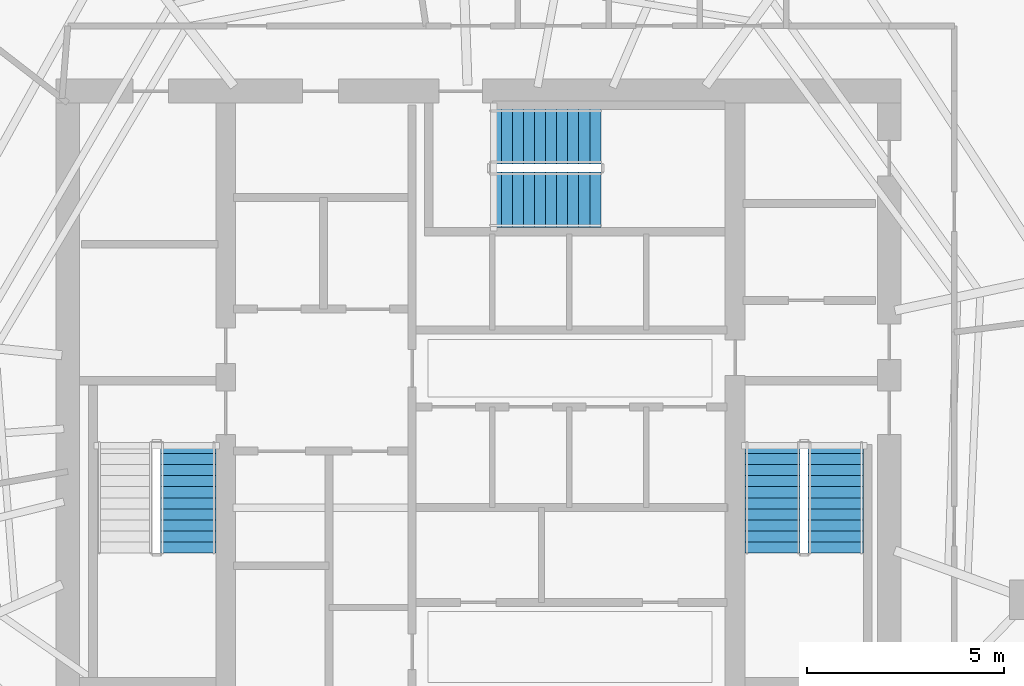
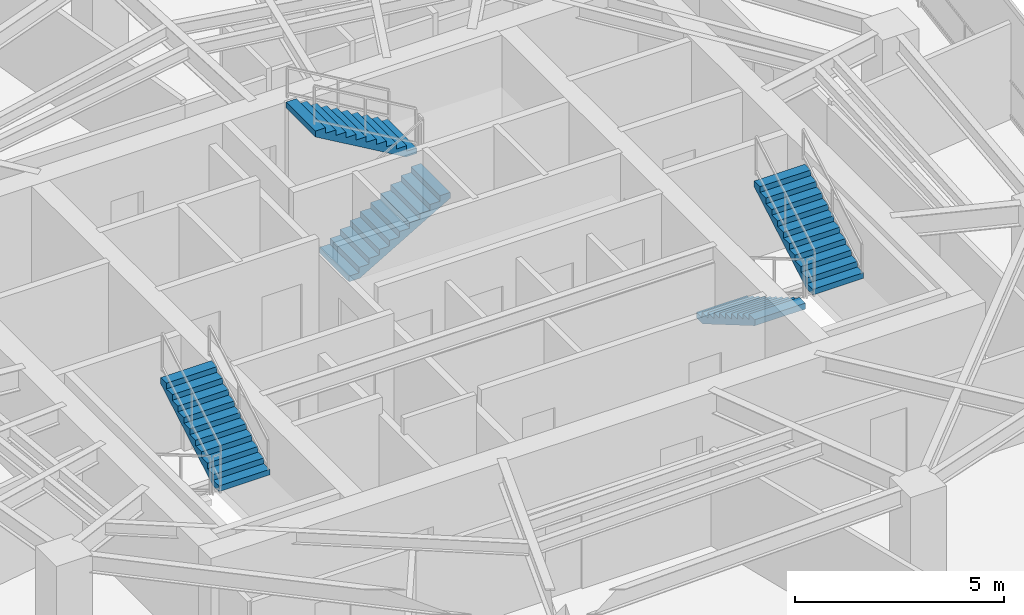
# One storey, part 19 of 21: 5 stair flights, 3 elements without a shape of their own.
"""IFC4 building model written with IfcOpenShell, lengths in metres."""

from ifc_helpers import new_model, si_unit, direction, frame, origin, place, context, subcontext, project, spatial, polyline, outline, extrude, material, type_object, element, aggregate, save


model = new_model("IFC4")

# Units and contexts
model_context = context("Model", 3, precision=1e-05, world=origin(), true_north=direction((0.0, 1.0)))
body_context = subcontext(model_context, "Body", "Model", "MODEL_VIEW")
ifc_project = project(units=[si_unit("LENGTHUNIT", "METRE"), si_unit("AREAUNIT", "SQUARE_METRE"), si_unit("VOLUMEUNIT", "CUBIC_METRE"), si_unit("PLANEANGLEUNIT", "RADIAN"), si_unit("MASSUNIT", "GRAM", prefix="KILO")], contexts=[model_context])

# Site, building, storey
site_placement = place(None, origin())
site = spatial("IfcSite", under=ifc_project, at=site_placement, CompositionType="ELEMENT")
building_placement = place(site_placement, origin())
building = spatial("IfcBuilding", under=site, at=building_placement, Name="Qarnah Convention Tower", CompositionType="ELEMENT")
storey_placement = place(building_placement, frame((0.0, 0.0, 158.10009765625)))
storey = spatial("IfcBuildingStorey", under=building, at=storey_placement, Name="L42", CompositionType="ELEMENT", Elevation=158.10009765625)

# Stair, stair flight
ifc_material = material(Name="Concrete C50/60", Category="concrete")
stair_type = type_object("IfcStairType", Name="STR-OFF", PredefinedType="HALF_TURN_STAIR", material=ifc_material)
stair_1_placement = place(storey_placement, origin())
stair_1 = element("IfcStair", 1, at=stair_1_placement, inside=storey, type_object=stair_type, Name="L42 Core exit stair ST-1", PredefinedType="HALF_TURN_STAIR")
stair_flight_type = type_object("IfcStairFlightType", Name="FLT-OFF", PredefinedType="STRAIGHT", material=ifc_material)
stair_flight_1_placement = place(storey_placement, frame((29.85009765625, 22.5, 1.7998046875), z_axis=(0.0, 0.0, 1.0), x_axis=(0.0, 1.0, 0.0)))
stair_flight_1 = element("IfcStairFlight", 2, at=stair_flight_1_placement, type_object=stair_flight_type, Name="ST-1 flight 2", NumberOfRisers=11, NumberOfTreads=10, PredefinedType="STRAIGHT", RiserHeight=0.163636364, TreadLength=0.28, context=body_context, shape_type="SweptSolid", body=[
    extrude(outline(polyline([(0.0, 0.0), (0.0, 0.16357421875), (0.280029296875, 0.16357421875), (0.280029296875, 0.327392578125), (0.56005859375, 0.327392578125), (0.56005859375, 0.490966796875), (0.840087890625, 0.490966796875), (0.840087890625, 0.654541015625), (1.1201171875, 0.654541015625), (1.1201171875, 0.818115234375), (1.39990234375, 0.818115234375), (1.39990234375, 0.98193359375), (1.679931640625, 0.98193359375), (1.679931640625, 1.1455078125), (1.9599609375, 1.1455078125), (1.9599609375, 1.30908203125), (2.239990234375, 1.30908203125), (2.239990234375, 1.47265625), (2.52001953125, 1.47265625), (2.52001953125, 1.636474609375), (2.800048828125, 1.636474609375), (2.800048828125, 1.800048828125), (2.800048828125, 1.462646484375), (0.297119140625, 0.0), (0.0, 0.0)])), frame((0.0, 0.699951171875, 0.0), z_axis=(0.0, -1.0, 0.0), x_axis=(1.0, 0.0, 0.0)), (0.0, 0.0, 1.0), 1.39990234375),
])
aggregate(stair_1, [stair_flight_1])

# Stair, stair flights
stair_2_placement = place(storey_placement, origin())
stair_2 = element("IfcStair", 3, at=stair_2_placement, inside=storey, type_object=stair_type, Name="L42 Core exit stair ST-2", PredefinedType="HALF_TURN_STAIR")
stair_flight_2_placement = place(storey_placement, frame((44.64990234375, 25.300048828125, 0.0), z_axis=(0.0, 0.0, 1.0), x_axis=(0.0, -1.0, 0.0)))
stair_flight_2 = element("IfcStairFlight", 4, at=stair_flight_2_placement, type_object=stair_flight_type, Name="ST-2 flight 1", NumberOfRisers=11, NumberOfTreads=10, PredefinedType="STRAIGHT", RiserHeight=0.163636364, TreadLength=0.28, context=body_context, shape_type="SweptSolid", body=[
    extrude(outline(polyline([(0.0, 0.0), (0.0, 0.16357421875), (0.280029296875, 0.16357421875), (0.280029296875, 0.327392578125), (0.56005859375, 0.327392578125), (0.56005859375, 0.490966796875), (0.840087890625, 0.490966796875), (0.840087890625, 0.654541015625), (1.1201171875, 0.654541015625), (1.1201171875, 0.818115234375), (1.39990234375, 0.818115234375), (1.39990234375, 0.98193359375), (1.679931640625, 0.98193359375), (1.679931640625, 1.1455078125), (1.9599609375, 1.1455078125), (1.9599609375, 1.30908203125), (2.239990234375, 1.30908203125), (2.239990234375, 1.47265625), (2.52001953125, 1.47265625), (2.52001953125, 1.636474609375), (2.800048828125, 1.636474609375), (2.800048828125, 1.800048828125), (2.800048828125, 1.462646484375), (0.297119140625, 0.0), (0.0, 0.0)])), frame((0.0, 0.699951171875, 0.0), z_axis=(0.0, -1.0, 0.0), x_axis=(1.0, 0.0, 0.0)), (0.0, 0.0, 1.0), 1.39990234375),
])
stair_flight_3_placement = place(storey_placement, frame((46.25, 22.5, 1.7998046875), z_axis=(0.0, 0.0, 1.0), x_axis=(0.0, 1.0, 0.0)))
stair_flight_3 = element("IfcStairFlight", 5, at=stair_flight_3_placement, type_object=stair_flight_type, Name="ST-2 flight 2", NumberOfRisers=11, NumberOfTreads=10, PredefinedType="STRAIGHT", RiserHeight=0.163636364, TreadLength=0.28, context=body_context, shape_type="SweptSolid", body=[
    extrude(outline(polyline([(0.0, 0.0), (0.0, 0.16357421875), (0.280029296875, 0.16357421875), (0.280029296875, 0.327392578125), (0.56005859375, 0.327392578125), (0.56005859375, 0.490966796875), (0.840087890625, 0.490966796875), (0.840087890625, 0.654541015625), (1.1201171875, 0.654541015625), (1.1201171875, 0.818115234375), (1.39990234375, 0.818115234375), (1.39990234375, 0.98193359375), (1.679931640625, 0.98193359375), (1.679931640625, 1.1455078125), (1.9599609375, 1.1455078125), (1.9599609375, 1.30908203125), (2.239990234375, 1.30908203125), (2.239990234375, 1.47265625), (2.52001953125, 1.47265625), (2.52001953125, 1.636474609375), (2.800048828125, 1.636474609375), (2.800048828125, 1.800048828125), (2.800048828125, 1.462646484375), (0.297119140625, 0.0), (0.0, 0.0)])), frame((0.0, 0.699951171875, 0.0), z_axis=(0.0, -1.0, 0.0), x_axis=(1.0, 0.0, 0.0)), (0.0, 0.0, 1.0), 1.39990234375),
])
aggregate(stair_2, [stair_flight_2, stair_flight_3])

stair_3_placement = place(storey_placement, origin())
stair_3 = element("IfcStair", 6, at=stair_3_placement, inside=storey, type_object=stair_type, Name="L42 Core exit stair ST-3", PredefinedType="HALF_TURN_STAIR")
stair_flight_4_placement = place(storey_placement, frame((37.5, 31.449951171875, 0.0), z_axis=(0.0, 0.0, 1.0), x_axis=(1.0, 0.0, 0.0)))
stair_flight_4 = element("IfcStairFlight", 7, at=stair_flight_4_placement, type_object=stair_flight_type, Name="ST-3 flight 1", NumberOfRisers=11, NumberOfTreads=10, PredefinedType="STRAIGHT", RiserHeight=0.163636364, TreadLength=0.28, context=body_context, shape_type="SweptSolid", body=[
    extrude(outline(polyline([(0.0, 0.0), (0.0, 0.16357421875), (0.280029296875, 0.16357421875), (0.280029296875, 0.327392578125), (0.56005859375, 0.327392578125), (0.56005859375, 0.490966796875), (0.840087890625, 0.490966796875), (0.840087890625, 0.654541015625), (1.1201171875, 0.654541015625), (1.1201171875, 0.818115234375), (1.39990234375, 0.818115234375), (1.39990234375, 0.98193359375), (1.679931640625, 0.98193359375), (1.679931640625, 1.1455078125), (1.9599609375, 1.1455078125), (1.9599609375, 1.30908203125), (2.239990234375, 1.30908203125), (2.239990234375, 1.47265625), (2.52001953125, 1.47265625), (2.52001953125, 1.636474609375), (2.800048828125, 1.636474609375), (2.800048828125, 1.800048828125), (2.800048828125, 1.462646484375), (0.297119140625, 0.0), (0.0, 0.0)])), frame((0.0, 0.699951171875, 0.0), z_axis=(0.0, -1.0, 0.0), x_axis=(1.0, 0.0, 0.0)), (0.0, 0.0, 1.0), 1.39990234375),
])
stair_flight_5_placement = place(storey_placement, frame((40.300048828125, 33.050048828125, 1.7998046875), z_axis=(0.0, 0.0, 1.0), x_axis=(-1.0, 0.0, 0.0)))
stair_flight_5 = element("IfcStairFlight", 8, at=stair_flight_5_placement, type_object=stair_flight_type, Name="ST-3 flight 2", NumberOfRisers=11, NumberOfTreads=10, PredefinedType="STRAIGHT", RiserHeight=0.163636364, TreadLength=0.28, context=body_context, shape_type="SweptSolid", body=[
    extrude(outline(polyline([(0.0, 0.0), (0.0, 0.16357421875), (0.280029296875, 0.16357421875), (0.280029296875, 0.327392578125), (0.56005859375, 0.327392578125), (0.56005859375, 0.490966796875), (0.840087890625, 0.490966796875), (0.840087890625, 0.654541015625), (1.1201171875, 0.654541015625), (1.1201171875, 0.818115234375), (1.39990234375, 0.818115234375), (1.39990234375, 0.98193359375), (1.679931640625, 0.98193359375), (1.679931640625, 1.1455078125), (1.9599609375, 1.1455078125), (1.9599609375, 1.30908203125), (2.239990234375, 1.30908203125), (2.239990234375, 1.47265625), (2.52001953125, 1.47265625), (2.52001953125, 1.636474609375), (2.800048828125, 1.636474609375), (2.800048828125, 1.800048828125), (2.800048828125, 1.462646484375), (0.297119140625, 0.0), (0.0, 0.0)])), frame((0.0, 0.699951171875, 0.0), z_axis=(0.0, -1.0, 0.0), x_axis=(1.0, 0.0, 0.0)), (0.0, 0.0, 1.0), 1.39990234375),
])
aggregate(stair_3, [stair_flight_4, stair_flight_5])

save(model, "model.ifc")
